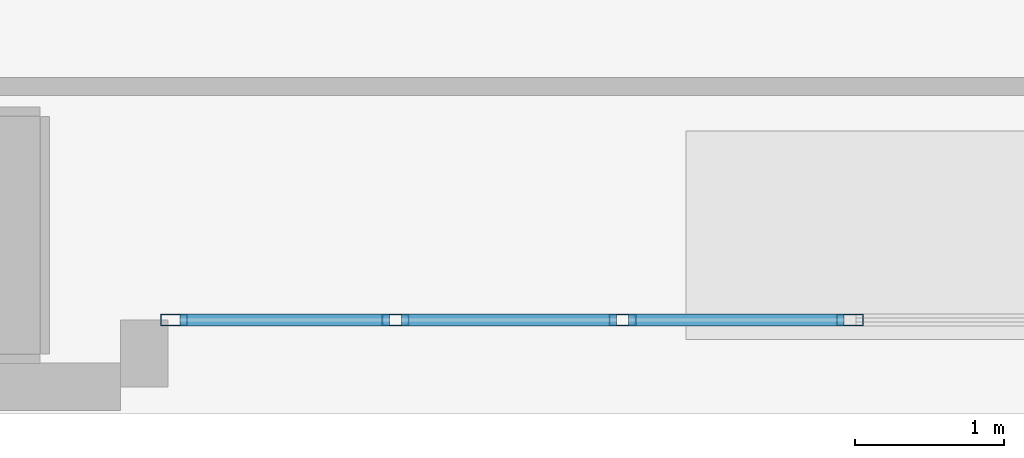
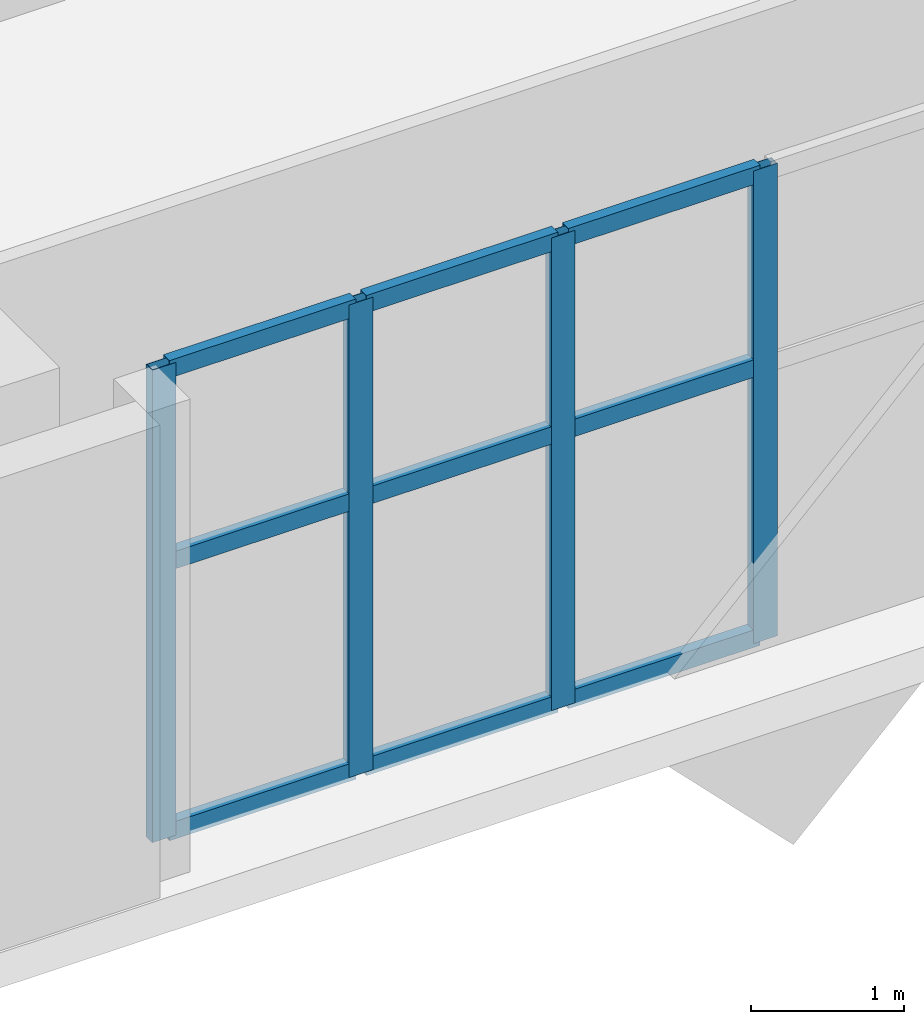
# One storey, part 2 of 22: 13 members, 1 element without a shape of its own.
"""IFC4 building model written with IfcOpenShell, lengths in metres."""

from ifc_helpers import new_model, si_unit, direction, frame, origin, origin_2d, place, context, subcontext, project, spatial, hollow_rectangle, extrude, material, layer, layer_set, material_profile, profile_set, type_object, element, aggregate, save


model = new_model("IFC4")

# Units and contexts
model_context = context("Model", 3, precision=1e-05, world=origin(), true_north=direction((0.0, 1.0)))
body_context = subcontext(model_context, "Body", "Model", "MODEL_VIEW")
ifc_project = project(units=[si_unit("LENGTHUNIT", "METRE"), si_unit("AREAUNIT", "SQUARE_METRE"), si_unit("VOLUMEUNIT", "CUBIC_METRE"), si_unit("PLANEANGLEUNIT", "RADIAN"), si_unit("MASSUNIT", "GRAM", prefix="KILO")], contexts=[model_context])

# Site, building, storey
site_placement = place(None, origin())
site = spatial("IfcSite", under=ifc_project, at=site_placement, CompositionType="ELEMENT")
building_placement = place(site_placement, origin())
building = spatial("IfcBuilding", under=site, at=building_placement, Name="Solanera Arch Residences", CompositionType="ELEMENT")
storey_placement = place(building_placement, frame((0.0, 0.0, 13.60009765625)))
storey = spatial("IfcBuildingStorey", under=building, at=storey_placement, Name="L03", CompositionType="ELEMENT", Elevation=13.60009765625)

# Curtain wall, members
ifc_material_1 = material(Name="Anodised Aluminium Alloy 6063-T6", Category="aluminium")
ifc_layer = layer(ifc_material_1, 0.179931640625)
ifc_layer_set = layer_set([ifc_layer], Name="Anodised Aluminium Alloy 6063-T6")
curtain_wall_type = type_object("IfcCurtainWallType", Name="CW-1 Arch Portal Unitised Glazing", PredefinedType="USERDEFINED", material=ifc_layer_set)
curtain_wall_placement = place(storey_placement, origin())
curtain_wall = element("IfcCurtainWall", 1, at=curtain_wall_placement, inside=storey, type_object=curtain_wall_type, Name="L03 Arch Portal Unitised Curtain Wall", ObjectType="CURTAIN_WALL", PredefinedType="USERDEFINED")
ifc_material_2 = material(Name="Anodised Aluminium Alloy 6063-T6", Category="aluminium")
ifc_material_profile_1 = material_profile(ifc_material_2, hollow_rectangle(XDim=0.080078125, YDim=0.179931640625, WallThickness=0.00390625, at=origin_2d()))
ifc_profile_set_1 = profile_set([ifc_material_profile_1], Name="Anodised Aluminium Alloy 6063-T6")
member_type_1 = type_object("IfcMemberType", Name="Curtain Wall Mullion ALU-MUL-80X180", PredefinedType="MULLION", material=ifc_profile_set_1)
member_1_placement = place(storey_placement, frame((19.647705078125, 10.6298828125, 0.0), z_axis=(0.0, 0.0, 1.0), x_axis=(0.0, -1.0, 0.0)))
member_1 = element("IfcMember", 2, at=member_1_placement, type_object=member_type_1, Name="CW-1 mullion 11", PredefinedType="MULLION", context=body_context, shape_type="SweptSolid", body=[
    extrude(hollow_rectangle(XDim=0.080078125, YDim=0.179931640625, WallThickness=0.00390625, at=origin_2d()), origin(), (0.0, 0.0, 1.0), 3.77978515625),
])
member_2_placement = place(storey_placement, frame((18.118408203125, 10.6298828125, 0.0), z_axis=(0.0, 0.0, 1.0), x_axis=(0.0, -1.0, 0.0)))
member_2 = element("IfcMember", 3, at=member_2_placement, type_object=member_type_1, Name="CW-1 mullion 12", PredefinedType="MULLION", context=body_context, shape_type="SweptSolid", body=[
    extrude(hollow_rectangle(XDim=0.080078125, YDim=0.179931640625, WallThickness=0.00390625, at=origin_2d()), origin(), (0.0, 0.0, 1.0), 3.77978515625),
])
member_3_placement = place(storey_placement, frame((16.589111328125, 10.6298828125, 0.0), z_axis=(0.0, 0.0, 1.0), x_axis=(0.0, -1.0, 0.0)))
member_3 = element("IfcMember", 4, at=member_3_placement, type_object=member_type_1, Name="CW-1 mullion 13", PredefinedType="MULLION", context=body_context, shape_type="SweptSolid", body=[
    extrude(hollow_rectangle(XDim=0.080078125, YDim=0.179931640625, WallThickness=0.00390625, at=origin_2d()), origin(), (0.0, 0.0, 1.0), 3.77978515625),
])
member_4_placement = place(storey_placement, frame((15.10009765625, 10.6298828125, 0.0), z_axis=(0.0, 0.0, 1.0), x_axis=(0.0, -1.0, 0.0)))
member_4 = element("IfcMember", 5, at=member_4_placement, type_object=member_type_1, Name="CW-1 mullion 14", PredefinedType="MULLION", context=body_context, shape_type="SweptSolid", body=[
    extrude(hollow_rectangle(XDim=0.080078125, YDim=0.179931640625, WallThickness=0.00390625, at=origin_2d()), origin(), (0.0, 0.0, 1.0), 3.77978515625),
])
ifc_material_3 = material(Name="Anodised Aluminium Alloy 6063-T6", Category="aluminium")
ifc_material_profile_2 = material_profile(ifc_material_3, hollow_rectangle(XDim=0.080078125, YDim=0.139892578125, WallThickness=0.00390625, at=origin_2d()))
ifc_profile_set_2 = profile_set([ifc_material_profile_2], Name="Anodised Aluminium Alloy 6063-T6")
member_type_2 = type_object("IfcMemberType", Name="Curtain Wall Transom ALU-TRN-80X140", PredefinedType="USERDEFINED", material=ifc_profile_set_2)
member_5_placement = place(storey_placement, frame((19.607666015625, 10.6298828125, 0.039794921875), z_axis=(-1.0, 0.0, 0.0), x_axis=(0.0, -1.0, 0.0)))
member_5 = element("IfcMember", 6, at=member_5_placement, type_object=member_type_2, Name="CW-1 transom 11.1", ObjectType="TRANSOM", PredefinedType="USERDEFINED", context=body_context, shape_type="SweptSolid", body=[
    extrude(hollow_rectangle(XDim=0.080078125, YDim=0.139892578125, WallThickness=0.00390625, at=origin_2d()), origin(), (0.0, 0.0, 1.0), 1.44921875),
])
member_6_placement = place(storey_placement, frame((19.607666015625, 10.6298828125, 2.199951171875), z_axis=(-1.0, 0.0, 0.0), x_axis=(0.0, -1.0, 0.0)))
member_6 = element("IfcMember", 7, at=member_6_placement, type_object=member_type_2, Name="CW-1 transom 11.2", ObjectType="TRANSOM", PredefinedType="USERDEFINED", context=body_context, shape_type="SweptSolid", body=[
    extrude(hollow_rectangle(XDim=0.080078125, YDim=0.139892578125, WallThickness=0.00390625, at=origin_2d()), origin(), (0.0, 0.0, 1.0), 1.44921875),
])
member_7_placement = place(storey_placement, frame((19.607666015625, 10.6298828125, 3.739990234375), z_axis=(-1.0, 0.0, 0.0), x_axis=(0.0, -1.0, 0.0)))
member_7 = element("IfcMember", 8, at=member_7_placement, type_object=member_type_2, Name="CW-1 transom 11.3", ObjectType="TRANSOM", PredefinedType="USERDEFINED", context=body_context, shape_type="SweptSolid", body=[
    extrude(hollow_rectangle(XDim=0.080078125, YDim=0.139892578125, WallThickness=0.00390625, at=origin_2d()), origin(), (0.0, 0.0, 1.0), 1.44921875),
])
member_8_placement = place(storey_placement, frame((18.078369140625, 10.6298828125, 0.039794921875), z_axis=(-1.0, 0.0, 0.0), x_axis=(0.0, -1.0, 0.0)))
member_8 = element("IfcMember", 9, at=member_8_placement, type_object=member_type_2, Name="CW-1 transom 12.1", ObjectType="TRANSOM", PredefinedType="USERDEFINED", context=body_context, shape_type="SweptSolid", body=[
    extrude(hollow_rectangle(XDim=0.080078125, YDim=0.139892578125, WallThickness=0.00390625, at=origin_2d()), origin(), (0.0, 0.0, 1.0), 1.44921875),
])
member_9_placement = place(storey_placement, frame((18.078369140625, 10.6298828125, 2.199951171875), z_axis=(-1.0, 0.0, 0.0), x_axis=(0.0, -1.0, 0.0)))
member_9 = element("IfcMember", 10, at=member_9_placement, type_object=member_type_2, Name="CW-1 transom 12.2", ObjectType="TRANSOM", PredefinedType="USERDEFINED", context=body_context, shape_type="SweptSolid", body=[
    extrude(hollow_rectangle(XDim=0.080078125, YDim=0.139892578125, WallThickness=0.00390625, at=origin_2d()), origin(), (0.0, 0.0, 1.0), 1.44921875),
])
member_10_placement = place(storey_placement, frame((18.078369140625, 10.6298828125, 3.739990234375), z_axis=(-1.0, 0.0, 0.0), x_axis=(0.0, -1.0, 0.0)))
member_10 = element("IfcMember", 11, at=member_10_placement, type_object=member_type_2, Name="CW-1 transom 12.3", ObjectType="TRANSOM", PredefinedType="USERDEFINED", context=body_context, shape_type="SweptSolid", body=[
    extrude(hollow_rectangle(XDim=0.080078125, YDim=0.139892578125, WallThickness=0.00390625, at=origin_2d()), origin(), (0.0, 0.0, 1.0), 1.44921875),
])
member_11_placement = place(storey_placement, frame((16.54931640625, 10.6298828125, 0.039794921875), z_axis=(-1.0, 0.0, 0.0), x_axis=(0.0, -1.0, 0.0)))
member_11 = element("IfcMember", 12, at=member_11_placement, type_object=member_type_2, Name="CW-1 transom 13.1", ObjectType="TRANSOM", PredefinedType="USERDEFINED", context=body_context, shape_type="SweptSolid", body=[
    extrude(hollow_rectangle(XDim=0.080078125, YDim=0.139892578125, WallThickness=0.00390625, at=origin_2d()), origin(), (0.0, 0.0, 1.0), 1.409423828125),
])
member_12_placement = place(storey_placement, frame((16.54931640625, 10.6298828125, 2.199951171875), z_axis=(-1.0, 0.0, 0.0), x_axis=(0.0, -1.0, 0.0)))
member_12 = element("IfcMember", 13, at=member_12_placement, type_object=member_type_2, Name="CW-1 transom 13.2", ObjectType="TRANSOM", PredefinedType="USERDEFINED", context=body_context, shape_type="SweptSolid", body=[
    extrude(hollow_rectangle(XDim=0.080078125, YDim=0.139892578125, WallThickness=0.00390625, at=origin_2d()), origin(), (0.0, 0.0, 1.0), 1.409423828125),
])
member_13_placement = place(storey_placement, frame((16.54931640625, 10.6298828125, 3.739990234375), z_axis=(-1.0, 0.0, 0.0), x_axis=(0.0, -1.0, 0.0)))
member_13 = element("IfcMember", 14, at=member_13_placement, type_object=member_type_2, Name="CW-1 transom 13.3", ObjectType="TRANSOM", PredefinedType="USERDEFINED", context=body_context, shape_type="SweptSolid", body=[
    extrude(hollow_rectangle(XDim=0.080078125, YDim=0.139892578125, WallThickness=0.00390625, at=origin_2d()), origin(), (0.0, 0.0, 1.0), 1.409423828125),
])
aggregate(curtain_wall, [member_1, member_2, member_3, member_4, member_5, member_6, member_7, member_8, member_9, member_10, member_11, member_12, member_13])

save(model, "model.ifc")
